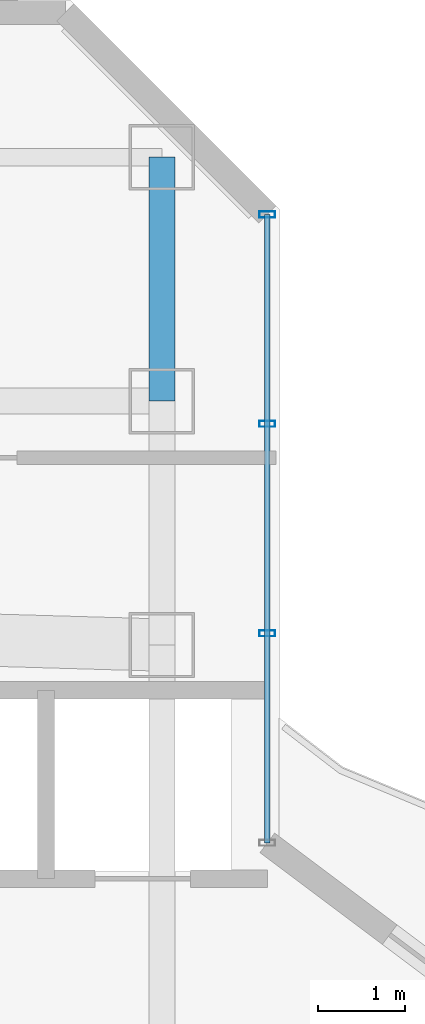
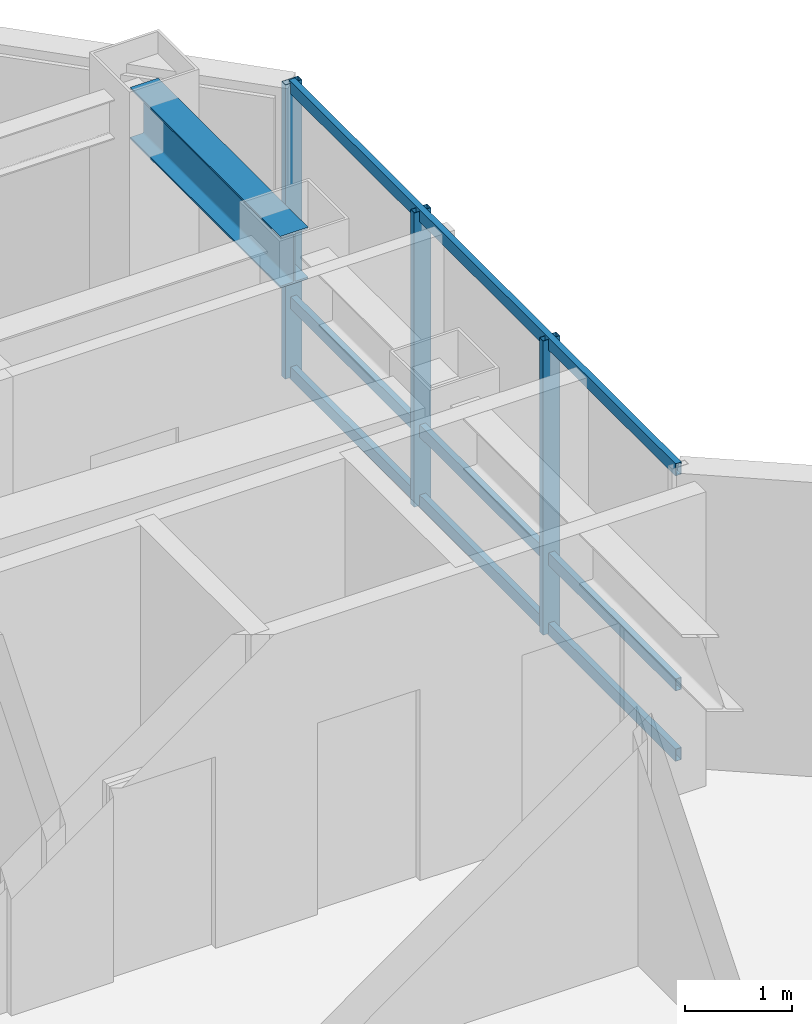
# One storey, part 17 of 26: 6 members, 1 beam, 1 element without a shape of its own.
"""IFC4 building model written with IfcOpenShell, lengths in metres."""

from ifc_helpers import new_model, si_unit, direction, frame, origin, origin_2d, place, context, subcontext, project, spatial, hollow_rectangle, i_section, extrude, material, layer, layer_set, material_profile, profile_set, type_object, element, aggregate, save


model = new_model("IFC4")

# Units and contexts
model_context = context("Model", 3, precision=1e-05, world=origin(), true_north=direction((0.0, 1.0)))
body_context = subcontext(model_context, "Body", "Model", "MODEL_VIEW")
ifc_project = project(units=[si_unit("LENGTHUNIT", "METRE"), si_unit("AREAUNIT", "SQUARE_METRE"), si_unit("VOLUMEUNIT", "CUBIC_METRE"), si_unit("PLANEANGLEUNIT", "RADIAN"), si_unit("MASSUNIT", "GRAM", prefix="KILO")], contexts=[model_context])

# Site, building, storey
site_placement = place(None, origin())
site = spatial("IfcSite", under=ifc_project, at=site_placement, CompositionType="ELEMENT")
building_placement = place(site_placement, origin())
building = spatial("IfcBuilding", under=site, at=building_placement, Name="Hatsunagi Terrace Concourse", CompositionType="ELEMENT")
storey_placement = place(building_placement, frame((0.0, 0.0, 195.14990234375)))
storey = spatial("IfcBuildingStorey", under=building, at=storey_placement, Name="L51", CompositionType="ELEMENT", Elevation=195.14990234375)

# Curtain wall, members
ifc_material_1 = material(Name="Anodised Aluminium Alloy 6063-T5", Category="aluminium")
ifc_layer = layer(ifc_material_1, 0.199951171875)
ifc_layer_set = layer_set([ifc_layer], Name="OfficeZone2_CW04")
curtain_wall_type = type_object("IfcCurtainWallType", Name="OfficeZone2_CW04", PredefinedType="NOTDEFINED", material=ifc_layer_set)
curtain_wall_placement = place(storey_placement, origin())
curtain_wall = element("IfcCurtainWall", 1, at=curtain_wall_placement, inside=storey, type_object=curtain_wall_type, Name="Unitised Curtain Wall CW-04 CW-L51-12", PredefinedType="NOTDEFINED")
ifc_material_2 = material(Name="Anodised Aluminium Alloy 6063-T5", Category="aluminium")
ifc_material_profile_1 = material_profile(ifc_material_2, hollow_rectangle(XDim=0.070068359375, YDim=0.179931640625, WallThickness=0.00390625, at=origin_2d()), Name="ALU-MUL-180x70x4")
ifc_profile_set_1 = profile_set([ifc_material_profile_1], Name="Anodised Aluminium Alloy 6063-T5")
member_type_1 = type_object("IfcMemberType", Name="CurtainWallMullion_180x70", PredefinedType="MULLION", material=ifc_profile_set_1)
member_1_placement = place(storey_placement, frame((44.860107421875, 47.94189453125, 0.0), z_axis=(0.0, 0.0, 1.0), x_axis=(0.0, -1.0, 0.0)))
member_1 = element("IfcMember", 2, at=member_1_placement, type_object=member_type_1, Name="Curtain Wall Mullion MUL-02", PredefinedType="MULLION", context=body_context, shape_type="SweptSolid", body=[
    extrude(hollow_rectangle(XDim=0.070068359375, YDim=0.179931640625, WallThickness=0.00390625, at=origin_2d()), origin(), (0.0, 0.0, 1.0), 3.35009765625),
])
member_2_placement = place(storey_placement, frame((44.860107421875, 45.5380859375, 0.0), z_axis=(0.0, 0.0, 1.0), x_axis=(0.0, -1.0, 0.0)))
member_2 = element("IfcMember", 3, at=member_2_placement, type_object=member_type_1, Name="Curtain Wall Mullion MUL-02", PredefinedType="MULLION", context=body_context, shape_type="SweptSolid", body=[
    extrude(hollow_rectangle(XDim=0.070068359375, YDim=0.179931640625, WallThickness=0.00390625, at=origin_2d()), origin(), (0.0, 0.0, 1.0), 3.35009765625),
])
member_3_placement = place(storey_placement, frame((44.860107421875, 43.134033203125, 0.0), z_axis=(0.0, 0.0, 1.0), x_axis=(0.0, -1.0, 0.0)))
member_3 = element("IfcMember", 4, at=member_3_placement, type_object=member_type_1, Name="Curtain Wall Mullion MUL-02", PredefinedType="MULLION", context=body_context, shape_type="SweptSolid", body=[
    extrude(hollow_rectangle(XDim=0.070068359375, YDim=0.179931640625, WallThickness=0.00390625, at=origin_2d()), origin(), (0.0, 0.0, 1.0), 3.35009765625),
])
ifc_material_3 = material(Name="Anodised Aluminium Alloy 6063-T5", Category="aluminium")
ifc_material_profile_2 = material_profile(ifc_material_3, hollow_rectangle(XDim=0.06494140625, YDim=0.139892578125, WallThickness=0.00390625, at=origin_2d()), Name="ALU-TRN-140x65x4")
ifc_profile_set_2 = profile_set([ifc_material_profile_2], Name="Anodised Aluminium Alloy 6063-T5")
member_type_2 = type_object("IfcMemberType", Name="CurtainWallTransom_140x65", PredefinedType="USERDEFINED", material=ifc_profile_set_2)
member_4_placement = place(storey_placement, frame((44.860107421875, 47.94189453125, 0.050048828125), z_axis=(0.0, -1.0, 0.0), x_axis=(1.0, 0.0, 0.0)))
member_4 = element("IfcMember", 5, at=member_4_placement, type_object=member_type_2, Name="Curtain Wall Transom TRN-02", ObjectType="TRANSOM", PredefinedType="USERDEFINED", context=body_context, shape_type="SweptSolid", body=[
    extrude(hollow_rectangle(XDim=0.06494140625, YDim=0.139892578125, WallThickness=0.00390625, at=origin_2d()), origin(), (0.0, 0.0, 1.0), 7.2119140625),
])
member_5_placement = place(storey_placement, frame((44.860107421875, 47.94189453125, 0.85009765625), z_axis=(0.0, -1.0, 0.0), x_axis=(1.0, 0.0, 0.0)))
member_5 = element("IfcMember", 6, at=member_5_placement, type_object=member_type_2, Name="Curtain Wall Transom TRN-02", ObjectType="TRANSOM", PredefinedType="USERDEFINED", context=body_context, shape_type="SweptSolid", body=[
    extrude(hollow_rectangle(XDim=0.06494140625, YDim=0.139892578125, WallThickness=0.00390625, at=origin_2d()), origin(), (0.0, 0.0, 1.0), 7.2119140625),
])
member_6_placement = place(storey_placement, frame((44.860107421875, 47.94189453125, 3.300048828125), z_axis=(0.0, -1.0, 0.0), x_axis=(1.0, 0.0, 0.0)))
member_6 = element("IfcMember", 7, at=member_6_placement, type_object=member_type_2, Name="Curtain Wall Transom TRN-02", ObjectType="TRANSOM", PredefinedType="USERDEFINED", context=body_context, shape_type="SweptSolid", body=[
    extrude(hollow_rectangle(XDim=0.06494140625, YDim=0.139892578125, WallThickness=0.00390625, at=origin_2d()), origin(), (0.0, 0.0, 1.0), 7.2119140625),
])
aggregate(curtain_wall, [member_1, member_2, member_3, member_4, member_5, member_6])

# Beam
ifc_material_4 = material(Name="Steel SN490B", Category="steel")
ifc_material_profile_3 = material_profile(ifc_material_4, i_section(OverallWidth=0.300048828125, OverallDepth=0.587890625, WebThickness=0.011962890625, FlangeThickness=0.02001953125, FilletRadius=0.01806640625, at=origin_2d()), Name="H-588x300x12x20")
ifc_profile_set_3 = profile_set([ifc_material_profile_3], Name="Steel SN490B")
beam_type = type_object("IfcBeamType", Name="OfficeHighGirder_H_588x300", PredefinedType="BEAM", material=ifc_profile_set_3)
beam_placement = place(storey_placement, frame((43.64990234375, 45.800048828125, 3.05615234375), z_axis=(0.0, 1.0, 0.0), x_axis=(-1.0, 0.0, 0.0)))
element("IfcBeam", 8, at=beam_placement, inside=storey, type_object=beam_type, Name="Beam G-06 BM-L51-KN-WN6", PredefinedType="BEAM", context=body_context, shape_type="SweptSolid", body=[
    extrude(i_section(OverallWidth=0.300048828125, OverallDepth=0.587890625, WebThickness=0.011962890625, FlangeThickness=0.02001953125, FilletRadius=0.01806640625, at=origin_2d()), origin(), (0.0, 0.0, 1.0), 2.800048828125),
])

save(model, "model.ifc")
